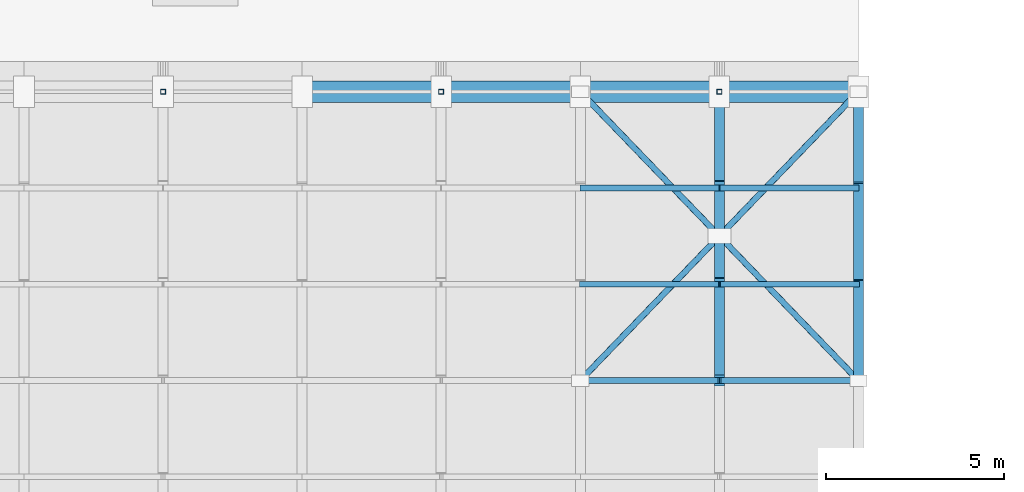
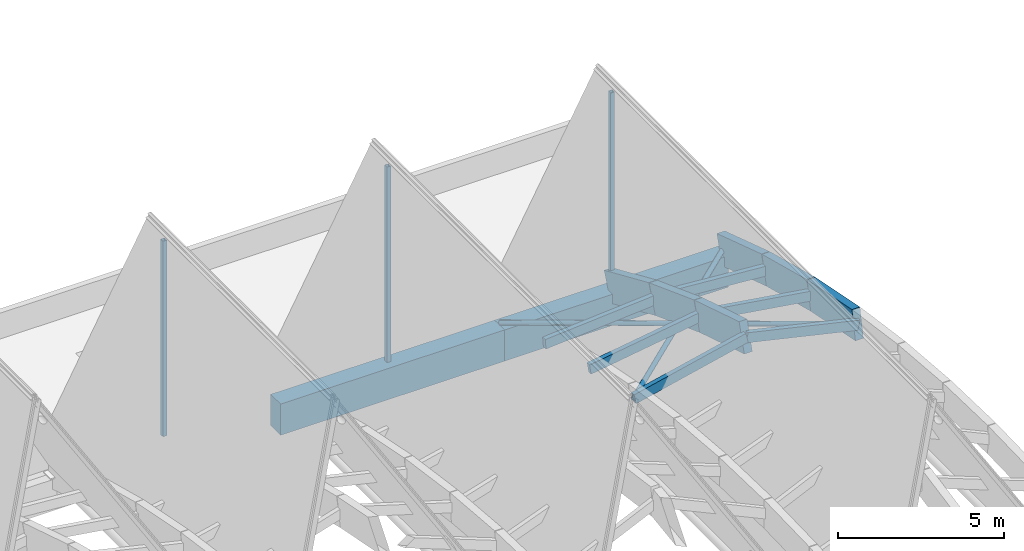
# One storey, part 21 of 39: 18 members, 2 beams.
"""IFC4 building model written with IfcOpenShell, lengths in metres."""

from ifc_helpers import new_model, si_unit, direction, frame, origin, origin_2d, place, context, subcontext, project, spatial, rectangle, hollow_rectangle, hollow_circle, extrude, material, material_profile, profile_set, type_object, element, save


model = new_model("IFC4")

# Units and contexts
model_context = context("Model", 3, precision=1e-05, world=origin(), true_north=direction((0.0, 1.0)))
body_context = subcontext(model_context, "Body", "Model", "MODEL_VIEW")
ifc_project = project(units=[si_unit("LENGTHUNIT", "METRE"), si_unit("AREAUNIT", "SQUARE_METRE"), si_unit("VOLUMEUNIT", "CUBIC_METRE"), si_unit("PLANEANGLEUNIT", "RADIAN"), si_unit("MASSUNIT", "GRAM", prefix="KILO")], contexts=[model_context])

# Site, building, storey
site_placement = place(None, origin())
site = spatial("IfcSite", under=ifc_project, at=site_placement, CompositionType="ELEMENT")
building_placement = place(site_placement, origin())
building = spatial("IfcBuilding", under=site, at=building_placement, Name="Tizgana Railside Sports Hall", CompositionType="ELEMENT")
storey_placement = place(building_placement, frame((0.0, 0.0, 23.699951171875)))
storey = spatial("IfcBuildingStorey", under=building, at=storey_placement, Name="RF", CompositionType="ELEMENT", Elevation=23.699951171875)

# Beams
ifc_material_1 = material(Name="Concrete C40/50", Category="concrete")
ifc_material_profile_1 = material_profile(ifc_material_1, rectangle(XDim=0.60009765625, YDim=1.14990234375, at=origin_2d()), Name="RCB 600x1150")
ifc_profile_set_1 = profile_set([ifc_material_profile_1], Name="Concrete C40/50")
beam_type = type_object("IfcBeamType", Name="Concrete Beam RCB 600x1150", PredefinedType="BEAM", material=ifc_profile_set_1)
for number, where, z_axis, x_axis, name in (
    (1, (39.0, 73.199951171875, -8.9189453125), (1.0, 0.0, 0.0), (0.0, 1.0, 0.0), "RF BEM-1221"),
    (2, (46.800048828125, 73.199951171875, -8.9189453125), (1.0, 0.0, 0.0), (0.0, 1.0, 0.0), "RF BEM-1222"),
):
    element("IfcBeam", number, at=place(storey_placement, frame(where, z_axis=z_axis, x_axis=x_axis)), inside=storey, type_object=beam_type, Name=name, PredefinedType="BEAM", context=body_context, shape_type="SweptSolid", body=[
        extrude(rectangle(XDim=0.60009765625, YDim=1.14990234375, at=origin_2d()), origin(), (0.0, 0.0, 1.0), 7.800048828125),
    ])

# Members
ifc_material_2 = material(Name="Glulam GL32h", Category="wood")
ifc_material_profile_2 = material_profile(ifc_material_2, rectangle(XDim=0.280029296875, YDim=1.050048828125, at=origin_2d()), Name="GL 280x1050")
ifc_profile_set_2 = profile_set([ifc_material_profile_2], Name="Glulam GL32h")
member_type_1 = type_object("IfcMemberType", Name="Glulam Arch Segment GL 280x1050", PredefinedType="USERDEFINED", material=ifc_profile_set_2)
member_1_placement = place(storey_placement, frame((50.699951171875, 65.10009765625, -5.221923828125), z_axis=(0.0, 0.954601237081, -0.297886686786), x_axis=(-1.0, 0.0, 0.0)))
element("IfcMember", 3, at=member_1_placement, inside=storey, type_object=member_type_1, Name="RF V1 Arch Chord MEM-0202", ObjectType="ARCH_SEGMENT", PredefinedType="USERDEFINED", context=body_context, shape_type="SweptSolid", body=[
    extrude(rectangle(XDim=0.280029296875, YDim=1.050048828125, at=origin_2d()), origin(), (0.0, 0.0, 1.0), 2.828369140625),
])
member_2_placement = place(storey_placement, frame((50.699951171875, 67.800048828125, -6.064453125), z_axis=(0.0, 0.936999478025, -0.349330757564), x_axis=(-1.0, 0.0, 0.0)))
element("IfcMember", 4, at=member_2_placement, inside=storey, type_object=member_type_1, Name="RF V1 Arch Chord MEM-0203", ObjectType="ARCH_SEGMENT", PredefinedType="USERDEFINED", context=body_context, shape_type="SweptSolid", body=[
    extrude(rectangle(XDim=0.280029296875, YDim=1.050048828125, at=origin_2d()), origin(), (0.0, 0.0, 1.0), 2.881591796875),
])
member_3_placement = place(storey_placement, frame((50.699951171875, 70.5, -7.071044921875), z_axis=(0.0, 0.91644048833, -0.400171002635), x_axis=(-1.0, 0.0, 0.0)))
element("IfcMember", 5, at=member_3_placement, inside=storey, type_object=member_type_1, Name="RF V1 Arch Chord MEM-0204", ObjectType="ARCH_SEGMENT", PredefinedType="USERDEFINED", context=body_context, shape_type="SweptSolid", body=[
    extrude(rectangle(XDim=0.280029296875, YDim=1.050048828125, at=origin_2d()), origin(), (0.0, 0.0, 1.0), 2.946044921875),
])
member_4_placement = place(storey_placement, frame((54.60009765625, 65.10009765625, -6.1220703125), z_axis=(0.0, 0.980423512867, -0.196900318481), x_axis=(-1.0, 0.0, 0.0)))
element("IfcMember", 6, at=member_4_placement, inside=storey, type_object=member_type_1, Name="RF V1 Arch Chord MEM-0215", ObjectType="ARCH_SEGMENT", PredefinedType="USERDEFINED", context=body_context, shape_type="SweptSolid", body=[
    extrude(rectangle(XDim=0.280029296875, YDim=1.050048828125, at=origin_2d()), origin(), (0.0, 0.0, 1.0), 2.75390625),
])
member_5_placement = place(storey_placement, frame((54.60009765625, 67.800048828125, -6.664306640625), z_axis=(0.0, 0.96740233444, -0.253244394448), x_axis=(-1.0, 0.0, 0.0)))
element("IfcMember", 7, at=member_5_placement, inside=storey, type_object=member_type_1, Name="RF V1 Arch Chord MEM-0216", ObjectType="ARCH_SEGMENT", PredefinedType="USERDEFINED", context=body_context, shape_type="SweptSolid", body=[
    extrude(rectangle(XDim=0.280029296875, YDim=1.050048828125, at=origin_2d()), origin(), (0.0, 0.0, 1.0), 2.791015625),
])
member_6_placement = place(storey_placement, frame((54.60009765625, 70.5, -7.37109375), z_axis=(0.0, 0.95088673489, -0.309539040203), x_axis=(-1.0, 0.0, 0.0)))
element("IfcMember", 8, at=member_6_placement, inside=storey, type_object=member_type_1, Name="RF V1 Arch Chord MEM-0217", ObjectType="ARCH_SEGMENT", PredefinedType="USERDEFINED", context=body_context, shape_type="SweptSolid", body=[
    extrude(rectangle(XDim=0.280029296875, YDim=1.050048828125, at=origin_2d()), origin(), (0.0, 0.0, 1.0), 2.83935546875),
])
ifc_material_3 = material(Name="Glulam GL28h", Category="wood")
ifc_material_profile_3 = material_profile(ifc_material_3, rectangle(XDim=0.159912109375, YDim=0.360107421875, at=origin_2d()), Name="GL 160x360")
ifc_profile_set_3 = profile_set([ifc_material_profile_3], Name="Glulam GL28h")
member_type_2 = type_object("IfcMemberType", Name="Glulam Roof Purlin GL 160x360", PredefinedType="PURLIN", material=ifc_profile_set_3)
member_7_placement = place(storey_placement, frame((46.800048828125, 65.10009765625, -6.1220703125), z_axis=(0.974381942365, 0.0, 0.224899600695), x_axis=(0.0, 1.0, 0.0)))
element("IfcMember", 9, at=member_7_placement, inside=storey, type_object=member_type_2, Name="RF V1 Purlin MEM-0393", PredefinedType="PURLIN", context=body_context, shape_type="SweptSolid", body=[
    extrude(rectangle(XDim=0.159912109375, YDim=0.360107421875, at=origin_2d()), origin(), (0.0, 0.0, 1.0), 4.00244140625),
])
member_8_placement = place(storey_placement, frame((50.699951171875, 65.10009765625, -5.221923828125), z_axis=(0.974385027358, 0.0, -0.224886234483), x_axis=(0.0, 1.0, 0.0)))
element("IfcMember", 10, at=member_8_placement, inside=storey, type_object=member_type_2, Name="RF V1 Purlin MEM-0394", PredefinedType="PURLIN", context=body_context, shape_type="SweptSolid", body=[
    extrude(rectangle(XDim=0.159912109375, YDim=0.360107421875, at=origin_2d()), origin(), (0.0, 0.0, 1.0), 4.002685546875),
])
member_9_placement = place(storey_placement, frame((46.800048828125, 67.800048828125, -6.664306640625), z_axis=(0.988376704266, 0.0, 0.152024637685), x_axis=(0.0, 1.0, 0.0)))
element("IfcMember", 11, at=member_9_placement, inside=storey, type_object=member_type_2, Name="RF V1 Purlin MEM-0395", PredefinedType="PURLIN", context=body_context, shape_type="SweptSolid", body=[
    extrude(rectangle(XDim=0.159912109375, YDim=0.360107421875, at=origin_2d()), origin(), (0.0, 0.0, 1.0), 3.94580078125),
])
member_10_placement = place(storey_placement, frame((50.699951171875, 67.800048828125, -6.064453125), z_axis=(0.988378134138, 0.0, -0.152015341194), x_axis=(0.0, 1.0, 0.0)))
element("IfcMember", 12, at=member_10_placement, inside=storey, type_object=member_type_2, Name="RF V1 Purlin MEM-0396", PredefinedType="PURLIN", context=body_context, shape_type="SweptSolid", body=[
    extrude(rectangle(XDim=0.159912109375, YDim=0.360107421875, at=origin_2d()), origin(), (0.0, 0.0, 1.0), 3.946044921875),
])
member_11_placement = place(storey_placement, frame((46.800048828125, 70.5, -7.37109375), z_axis=(0.997053383918, 0.0, 0.076710818132), x_axis=(0.0, 1.0, 0.0)))
element("IfcMember", 13, at=member_11_placement, inside=storey, type_object=member_type_2, Name="RF V1 Purlin MEM-0397", PredefinedType="PURLIN", context=body_context, shape_type="SweptSolid", body=[
    extrude(rectangle(XDim=0.159912109375, YDim=0.360107421875, at=origin_2d()), origin(), (0.0, 0.0, 1.0), 3.911376953125),
])
member_12_placement = place(storey_placement, frame((50.699951171875, 70.5, -7.071044921875), z_axis=(0.997053751181, 0.0, -0.076706044457), x_axis=(0.0, 1.0, 0.0)))
element("IfcMember", 14, at=member_12_placement, inside=storey, type_object=member_type_2, Name="RF V1 Purlin MEM-0398", PredefinedType="PURLIN", context=body_context, shape_type="SweptSolid", body=[
    extrude(rectangle(XDim=0.159912109375, YDim=0.360107421875, at=origin_2d()), origin(), (0.0, 0.0, 1.0), 3.91162109375),
])
ifc_material_4 = material(Name="Steel S355J2", Category="steel")
ifc_material_profile_4 = material_profile(ifc_material_4, hollow_circle(Radius=0.084228515625, WallThickness=0.008056640625, at=origin_2d()), Name="CHS 168.3x8")
ifc_profile_set_4 = profile_set([ifc_material_profile_4], Name="Steel S355J2")
member_type_3 = type_object("IfcMemberType", Name="Steel Brace CHS 168.3x8", PredefinedType="BRACE", material=ifc_profile_set_4)
member_13_placement = place(storey_placement, frame((46.800048828125, 65.10009765625, -6.1220703125), z_axis=(0.68155463395, 0.707751043555, -0.185934776973), x_axis=(-0.720311776211, 0.69365044875, 0.0)))
element("IfcMember", 15, at=member_13_placement, inside=storey, type_object=member_type_3, Name="RF V1 Continuous Wind Brace MEM-0402", PredefinedType="BRACE", context=body_context, shape_type="SweptSolid", body=[
    extrude(hollow_circle(Radius=0.084228515625, WallThickness=0.008056640625, at=origin_2d()), origin(), (0.0, 0.0, 1.0), 11.444580078125),
])
for number, where, z_axis, x_axis, name in (
    (16, (54.60009765625, 65.10009765625, -6.1220703125), (-0.681578125604, 0.707732111687, -0.185920727152), (-0.720290559395, -0.693672480387, 0.0), "RF V1 Split Wind Brace MEM-0403"),
    (17, (50.6044921875, 69.2490234375, -7.2119140625), (-0.681528066573, 0.707769280713, -0.185962737539), (-0.72033421634, -0.693627145352, 0.0), "RF V1 Split Wind Brace MEM-0404"),
):
    element("IfcMember", number, at=place(storey_placement, frame(where, z_axis=z_axis, x_axis=x_axis)), inside=storey, type_object=member_type_3, Name=name, PredefinedType="BRACE", context=body_context, shape_type="SweptSolid", body=[
        extrude(hollow_circle(Radius=0.084228515625, WallThickness=0.008056640625, at=origin_2d()), origin(), (0.0, 0.0, 1.0), 5.582275390625),
    ])
ifc_material_profile_5 = material_profile(ifc_material_4, hollow_rectangle(XDim=0.139892578125, YDim=0.139892578125, WallThickness=0.008056640625, at=origin_2d()), Name="SHS 140x140x8")
ifc_profile_set_5 = profile_set([ifc_material_profile_5], Name="Steel S355J2")
member_type_4 = type_object("IfcMemberType", Name="Steel Brace SHS 140x140x8", PredefinedType="BRACE", material=ifc_profile_set_5)
for number, where, z_axis, x_axis, name in (
    (18, (35.10009765625, 73.199951171875, -8.300048828125), (0.0, 0.0, 1.0), (1.0, 0.0, 0.0), "RF King Post"),
    (19, (42.89990234375, 73.199951171875, -8.300048828125), (0.0, 0.0, 1.0), (1.0, 0.0, 0.0), "RF King Post"),
    (20, (50.699951171875, 73.199951171875, -8.300048828125), (0.0, 0.0, 1.0), (1.0, 0.0, 0.0), "RF King Post"),
):
    element("IfcMember", number, at=place(storey_placement, frame(where, z_axis=z_axis, x_axis=x_axis)), inside=storey, type_object=member_type_4, Name=name, PredefinedType="BRACE", context=body_context, shape_type="SweptSolid", body=[
        extrude(hollow_rectangle(XDim=0.139892578125, YDim=0.139892578125, WallThickness=0.008056640625, at=origin_2d()), origin(), (0.0, 0.0, 1.0), 7.2001953125),
    ])

save(model, "model.ifc")
